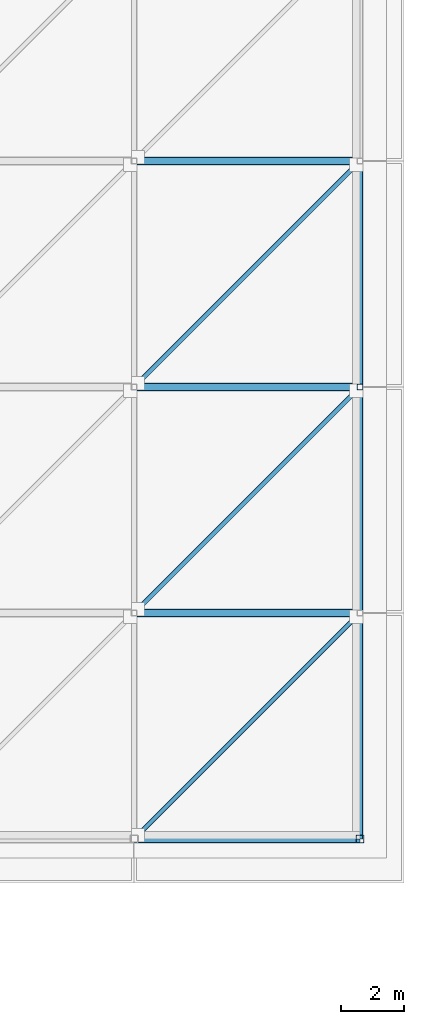
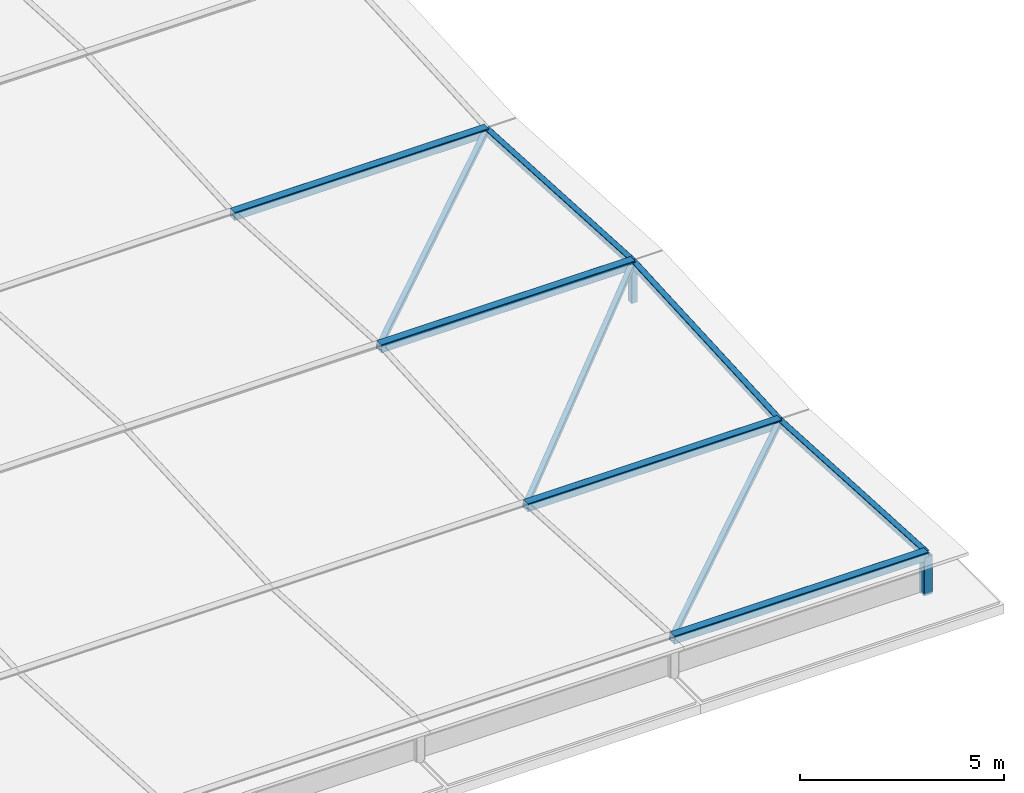
# One storey, part 6 of 15: 12 members.
"""IFC4 building model written with IfcOpenShell, lengths in metres."""

import ifcopenshell
import ifcopenshell.guid

model = None  # the IFC model being written
_history = None  # IfcOwnerHistory: only IFC2X3 demands one
_inside = {}  # id of a spatial element -> (the spatial element, [elements in it])
_under = {}  # id of a project, library or spatial element -> (it, [spatial elements below it])
_declared = {}  # id of a project -> (the project, [libraries it declares])
_typed = {}  # id of a type object -> (the type object, [elements of that type])
_made_of = {}  # id of a material, layer set ... -> (it, [elements and type objects made of it])


def new_model(schema):
    """Start an empty IFC model of exactly this schema.

    Asked for "IFC4X3", IfcOpenShell would pick the latest addendum, in which some entities
    have other attributes; the version numbers below select the first issue.
    IFC2X3 requires an IfcOwnerHistory on every rooted entity: one is made here for all.
    """
    global model, _history
    if schema == "IFC4X3":
        model = ifcopenshell.file(schema_version=(4, 3, 0, 0))
    else:
        model = ifcopenshell.file(schema=schema)
    _inside.clear()
    _under.clear()
    _declared.clear()
    _typed.clear()
    _made_of.clear()
    _history = None
    if model.schema == "IFC2X3":
        org = make("IfcOrganization", Name="unknown")
        user = make(
            "IfcPersonAndOrganization",
            ThePerson=make("IfcPerson", FamilyName="unknown"),
            TheOrganization=org,
        )
        app = make(
            "IfcApplication",
            ApplicationDeveloper=org,
            Version="unknown",
            ApplicationFullName="unknown",
            ApplicationIdentifier="unknown",
        )
        _history = make(
            "IfcOwnerHistory",
            OwningUser=user,
            OwningApplication=app,
            ChangeAction="ADDED",
            CreationDate=0,
        )
    return model


def make(cls, **values):
    """One entity of the class cls with the attributes given. An attribute that is None is left unset."""
    return model.create_entity(
        cls, **{name: value for name, value in values.items() if value is not None}
    )


def rooted(cls, **values):
    """An entity with a GlobalId (a new one), such as an element, a storey or a relation."""
    return make(cls, GlobalId=ifcopenshell.guid.new(), OwnerHistory=_history, **values)


def si_unit(unit_type, name, prefix=None):
    """IfcSIUnit, for example si_unit("LENGTHUNIT", "METRE", prefix="MILLI")."""
    return make("IfcSIUnit", UnitType=unit_type, Prefix=prefix, Name=name)


def assignment(units):
    """IfcUnitAssignment: the units of a project."""
    return None if units is None else make("IfcUnitAssignment", Units=units)


def point(xyz):
    """IfcCartesianPoint."""
    return None if xyz is None else make("IfcCartesianPoint", Coordinates=xyz)


def direction(xyz):
    """IfcDirection."""
    return None if xyz is None else make("IfcDirection", DirectionRatios=xyz)


def frame(location, z_axis=None, x_axis=None):
    """IfcAxis2Placement3D, a coordinate frame: its origin and axes. An axis left out is left unset."""
    return make(
        "IfcAxis2Placement3D",
        Location=point(location),
        Axis=direction(z_axis),
        RefDirection=direction(x_axis),
    )


def frame_2d(location, x_axis=None):
    """IfcAxis2Placement2D, a coordinate frame in the plane: its origin and x axis."""
    return make(
        "IfcAxis2Placement2D", Location=point(location), RefDirection=direction(x_axis)
    )


def origin():
    """The frame at (0, 0, 0) with its axes left unset."""
    return frame((0.0, 0.0, 0.0))


def origin_2d():
    """The frame at (0, 0) in the plane with its x axis left unset."""
    return frame_2d((0.0, 0.0))


def place(relative_to, where):
    """IfcLocalPlacement: puts the frame where relative to a parent placement (None: the world)."""
    return make(
        "IfcLocalPlacement", PlacementRelTo=relative_to, RelativePlacement=where
    )


def context(
    kind, dimensions, precision=None, world=None, true_north=None, identifier=None
):
    """IfcGeometricRepresentationContext, for example the 3D "Model" context."""
    return make(
        "IfcGeometricRepresentationContext",
        ContextIdentifier=identifier,
        ContextType=kind,
        CoordinateSpaceDimension=dimensions,
        Precision=precision,
        WorldCoordinateSystem=world,
        TrueNorth=true_north,
    )


def subcontext(parent, identifier, kind, view, scale=None):
    """IfcGeometricRepresentationSubContext, for example "Body" below "Model"."""
    return make(
        "IfcGeometricRepresentationSubContext",
        ContextIdentifier=identifier,
        ContextType=kind,
        ParentContext=parent,
        TargetScale=scale,
        TargetView=view,
    )


def project(units=None, contexts=None):
    """IfcProject with its units and contexts."""
    return rooted(
        "IfcProject",
        Name="project",
        RepresentationContexts=contexts,
        UnitsInContext=assignment(units),
    )


def spatial(cls, under=None, at=None, **own):
    """A site, building, storey or space (cls), placed at a placement, below another one or the project."""
    s = rooted(cls, ObjectPlacement=at, **own)
    if under is not None:
        _under.setdefault(under.id(), (under, []))[1].append(s)
    return s


def profile(cls, at=None, kind="AREA", **sizes):
    """A parametric profile (cls). Its sizes go by their IFC names, for example OverallWidth=200.0."""
    return make(cls, ProfileType=kind, Position=at, **sizes)


def hollow_rectangle(**sizes):
    """IfcRectangleHollowProfileDef."""
    return profile("IfcRectangleHollowProfileDef", **sizes)


def extrude(swept, where, along, depth):
    """IfcExtrudedAreaSolid: the profile swept, set in the frame where, extruded along a direction by depth."""
    return make(
        "IfcExtrudedAreaSolid",
        SweptArea=swept,
        Position=where,
        ExtrudedDirection=direction(along),
        Depth=depth,
    )


def shape(context_of_items, identifier, shape_type, items):
    """IfcShapeRepresentation: the items that make up one representation, for example the "Body"."""
    return make(
        "IfcShapeRepresentation",
        ContextOfItems=context_of_items,
        RepresentationIdentifier=identifier,
        RepresentationType=shape_type,
        Items=items,
    )


def material(Name=None, Category=None):
    """IfcMaterial."""
    return make("IfcMaterial", Name=Name, Category=Category)


def material_profile(
    of_material, cross_section, Name=None, Category=None, Priority=None
):
    """IfcMaterialProfile: a cross section and its material."""
    return make(
        "IfcMaterialProfile",
        Name=Name,
        Material=of_material,
        Profile=cross_section,
        Priority=Priority,
        Category=Category,
    )


def profile_set(profiles, Name=None, composite=None):
    """IfcMaterialProfileSet."""
    return make(
        "IfcMaterialProfileSet",
        Name=Name,
        MaterialProfiles=profiles,
        CompositeProfile=composite,
    )


def made_of(thing, what):
    """Note that an element or type object is made of a material, layer set ...; save() writes the relation."""
    if what is not None:
        _made_of.setdefault(what.id(), (what, []))[1].append(thing)
    return thing


def type_object(cls, material=None, **own):
    """A type object (cls), such as IfcWallType, which elements share."""
    return made_of(rooted(cls, **own), material)


def element(
    cls,
    number,
    at=None,
    inside=None,
    cuts=None,
    type_object=None,
    material=None,
    context=None,
    identifier="Body",
    shape_type=None,
    held_by="IfcProductDefinitionShape",
    body=None,
    shapes=None,
    **own,
):
    """One element of the class cls, such as IfcWall. Its Tag is "e" and its number.

    at: its placement. inside: the storey or other place that contains it. cuts: it is an
    opening in that element (IfcRelVoidsElement). A single representation is given by context,
    identifier, shape_type and body (its items); several are given by shapes. held_by: the class
    of the entity that holds the representations. save() writes the other relations.
    """
    e = rooted(cls, Tag="e%d" % number, ObjectPlacement=at, **own)
    if body is not None:
        shapes = [shape(context, identifier, shape_type, body)]
    if shapes is not None:
        e.Representation = make(held_by, Representations=shapes)
    if inside is not None:
        _inside.setdefault(inside.id(), (inside, []))[1].append(e)
    if cuts is not None:
        rooted(
            "IfcRelVoidsElement", RelatingBuildingElement=cuts, RelatedOpeningElement=e
        )
    if type_object is not None:
        _typed.setdefault(type_object.id(), (type_object, []))[1].append(e)
    return made_of(e, material)


def aggregate(whole, parts):
    """IfcRelAggregates: a whole, such as a stair, and the parts it consists of."""
    return rooted("IfcRelAggregates", RelatingObject=whole, RelatedObjects=parts)


def save(model, path):
    """Write the relations noted so far, then the file.

    IfcRelAggregates (storeys below a building ...), IfcRelContainedInSpatialStructure (elements
    in a storey), IfcRelDefinesByType, IfcRelAssociatesMaterial and IfcRelDeclares: one each for
    every whole, place, type object, material and project.
    """
    for whole, parts in _under.values():
        aggregate(whole, parts)
    for where, things in _inside.values():
        rooted(
            "IfcRelContainedInSpatialStructure",
            RelatedElements=things,
            RelatingStructure=where,
        )
    for kind, things in _typed.values():
        rooted("IfcRelDefinesByType", RelatedObjects=things, RelatingType=kind)
    for what, things in _made_of.values():
        rooted("IfcRelAssociatesMaterial", RelatedObjects=things, RelatingMaterial=what)
    for by, libraries in _declared.values():
        rooted("IfcRelDeclares", RelatingContext=by, RelatedDefinitions=libraries)
    model.write(path)


model = new_model("IFC4")

# Units and contexts
model_context = context("Model", 3, precision=1e-05, world=origin(), true_north=direction((0.0, 1.0)))
body_context = subcontext(model_context, "Body", "Model", "MODEL_VIEW")
ifc_project = project(units=[si_unit("LENGTHUNIT", "METRE"), si_unit("AREAUNIT", "SQUARE_METRE"), si_unit("VOLUMEUNIT", "CUBIC_METRE"), si_unit("PLANEANGLEUNIT", "RADIAN"), si_unit("MASSUNIT", "GRAM", prefix="KILO")], contexts=[model_context])

# Site, building, storey
site_placement = place(None, origin())
site = spatial("IfcSite", under=ifc_project, at=site_placement, CompositionType="ELEMENT")
building_placement = place(site_placement, origin())
building = spatial("IfcBuilding", under=site, at=building_placement, Name="Kavelor Marine Aquarium", CompositionType="ELEMENT")
storey_placement = place(building_placement, frame((0.0, 0.0, 25.56005859375)))
storey = spatial("IfcBuildingStorey", under=building, at=storey_placement, Name="RF", CompositionType="ELEMENT", Elevation=25.56005859375)

# Members
ifc_material_1 = material(Name="Steel S355", Category="steel")
ifc_material_profile_1 = material_profile(ifc_material_1, hollow_rectangle(XDim=0.25, YDim=0.25, WallThickness=0.010009765625, InnerFilletRadius=0.014892578125, OuterFilletRadius=0.02490234375, at=origin_2d()), Name="SHS 250x250x10.0")
ifc_profile_set_1 = profile_set([ifc_material_profile_1], Name="Steel S355")
member_type_1 = type_object("IfcMemberType", Name="ST-PV1", PredefinedType="CHORD", material=ifc_profile_set_1)
member_1_placement = place(storey_placement, frame((147.199951171875, 67.60009765625, 0.0), z_axis=(0.0, 0.0, 1.0), x_axis=(1.0, 0.0, 0.0)))
element("IfcMember", 1, at=member_1_placement, inside=storey, type_object=member_type_1, Name="pv:p:20_9", PredefinedType="CHORD", context=body_context, shape_type="SweptSolid", body=[
    extrude(hollow_rectangle(XDim=0.25, YDim=0.25, WallThickness=0.010009765625, InnerFilletRadius=0.014892578125, OuterFilletRadius=0.02490234375, at=origin_2d()), origin(), (0.0, 0.0, 1.0), 1.14990234375),
])
for number, where, z_axis, x_axis, name in (
    (2, (140.0, 67.60009765625, 1.14990234375), (1.0, 0.0, 0.0), (0.0, 1.0, 0.0), "pv:x1:19_9"),
    (3, (140.0, 74.800048828125, 0.75), (1.0, 0.0, 0.0), (0.0, 1.0, 0.0), "pv:x1:19_10"),
    (4, (140.0, 82.0, 1.14990234375), (1.0, 0.0, 0.0), (0.0, 1.0, 0.0), "pv:x1:19_11"),
    (5, (140.0, 89.199951171875, 0.75), (1.0, 0.0, 0.0), (0.0, 1.0, 0.0), "pv:x1:19_12"),
):
    element("IfcMember", number, at=place(storey_placement, frame(where, z_axis=z_axis, x_axis=x_axis)), inside=storey, type_object=member_type_1, Name=name, PredefinedType="CHORD", context=body_context, shape_type="SweptSolid", body=[
        extrude(hollow_rectangle(XDim=0.25, YDim=0.25, WallThickness=0.010009765625, InnerFilletRadius=0.014892578125, OuterFilletRadius=0.02490234375, at=origin_2d()), origin(), (0.0, 0.0, 1.0), 7.199951171875),
    ])
ifc_material_2 = material(Name="Steel S355", Category="steel")
ifc_material_profile_2 = material_profile(ifc_material_2, hollow_rectangle(XDim=0.179931640625, YDim=0.179931640625, WallThickness=0.008056640625, InnerFilletRadius=0.011962890625, OuterFilletRadius=0.02001953125, at=origin_2d()), Name="SHS 180x180x8.0")
ifc_profile_set_2 = profile_set([ifc_material_profile_2], Name="Steel S355")
member_type_2 = type_object("IfcMemberType", Name="ST-PV2", PredefinedType="CHORD", material=ifc_profile_set_2)
member_2_placement = place(storey_placement, frame((147.199951171875, 67.60009765625, 1.14990234375), z_axis=(0.0, 0.998461082335, -0.055456893726), x_axis=(-1.0, 0.0, 0.0)))
element("IfcMember", 6, at=member_2_placement, inside=storey, type_object=member_type_2, Name="pv:r2:19_9", PredefinedType="CHORD", context=body_context, shape_type="SweptSolid", body=[
    extrude(hollow_rectangle(XDim=0.179931640625, YDim=0.179931640625, WallThickness=0.008056640625, InnerFilletRadius=0.011962890625, OuterFilletRadius=0.02001953125, at=origin_2d()), origin(), (0.0, 0.0, 1.0), 7.2109375),
])
member_3_placement = place(storey_placement, frame((147.199951171875, 82.0, 0.0), z_axis=(0.0, 0.0, 1.0), x_axis=(1.0, 0.0, 0.0)))
element("IfcMember", 7, at=member_3_placement, inside=storey, type_object=member_type_2, Name="pv:p:20_11", PredefinedType="CHORD", context=body_context, shape_type="SweptSolid", body=[
    extrude(hollow_rectangle(XDim=0.179931640625, YDim=0.179931640625, WallThickness=0.008056640625, InnerFilletRadius=0.011962890625, OuterFilletRadius=0.02001953125, at=origin_2d()), origin(), (0.0, 0.0, 1.0), 1.14990234375),
])
for number, where, z_axis, x_axis, name in (
    (8, (147.199951171875, 74.800048828125, 0.75), (0.0, 0.998461082335, 0.055456893726), (-1.0, 0.0, 0.0), "pv:r2:19_10"),
    (9, (147.199951171875, 82.0, 1.14990234375), (0.0, 0.998461082335, -0.055456893726), (-1.0, 0.0, 0.0), "pv:r2:19_11"),
):
    element("IfcMember", number, at=place(storey_placement, frame(where, z_axis=z_axis, x_axis=x_axis)), inside=storey, type_object=member_type_2, Name=name, PredefinedType="CHORD", context=body_context, shape_type="SweptSolid", body=[
        extrude(hollow_rectangle(XDim=0.179931640625, YDim=0.179931640625, WallThickness=0.008056640625, InnerFilletRadius=0.011962890625, OuterFilletRadius=0.02001953125, at=origin_2d()), origin(), (0.0, 0.0, 1.0), 7.2109375),
    ])
ifc_material_3 = material(Name="Steel S355", Category="steel")
ifc_material_profile_3 = material_profile(ifc_material_3, hollow_rectangle(XDim=0.14990234375, YDim=0.14990234375, WallThickness=0.00634765625, InnerFilletRadius=0.009521484375, OuterFilletRadius=0.015869140625, at=origin_2d()), Name="SHS 150x150x6.3")
ifc_profile_set_3 = profile_set([ifc_material_profile_3], Name="Steel S355")
member_type_3 = type_object("IfcMemberType", Name="ST-PV3", PredefinedType="BRACE", material=ifc_profile_set_3)
for number, where, z_axis, x_axis, name in (
    (10, (140.0, 67.60009765625, 1.14990234375), (0.706562063163, 0.706562063163, -0.039244130733), (-0.707106781187, 0.707106781187, 0.0), "pv:br:19_9"),
    (11, (140.0, 74.800048828125, 0.75), (0.706562063163, 0.706562063163, 0.039244130733), (-0.707106781187, 0.707106781187, 0.0), "pv:br:19_10"),
    (12, (140.0, 82.0, 1.14990234375), (0.706562063163, 0.706562063163, -0.039244130733), (-0.707106781187, 0.707106781187, 0.0), "pv:br:19_11"),
):
    element("IfcMember", number, at=place(storey_placement, frame(where, z_axis=z_axis, x_axis=x_axis)), inside=storey, type_object=member_type_3, Name=name, PredefinedType="BRACE", context=body_context, shape_type="SweptSolid", body=[
        extrude(hollow_rectangle(XDim=0.14990234375, YDim=0.14990234375, WallThickness=0.00634765625, InnerFilletRadius=0.009521484375, OuterFilletRadius=0.015869140625, at=origin_2d()), origin(), (0.0, 0.0, 1.0), 10.190185546875),
    ])

save(model, "model.ifc")
